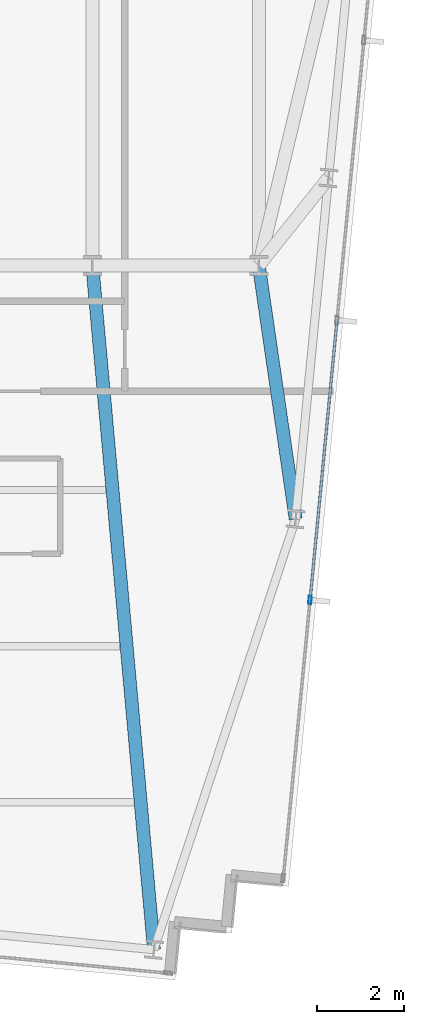
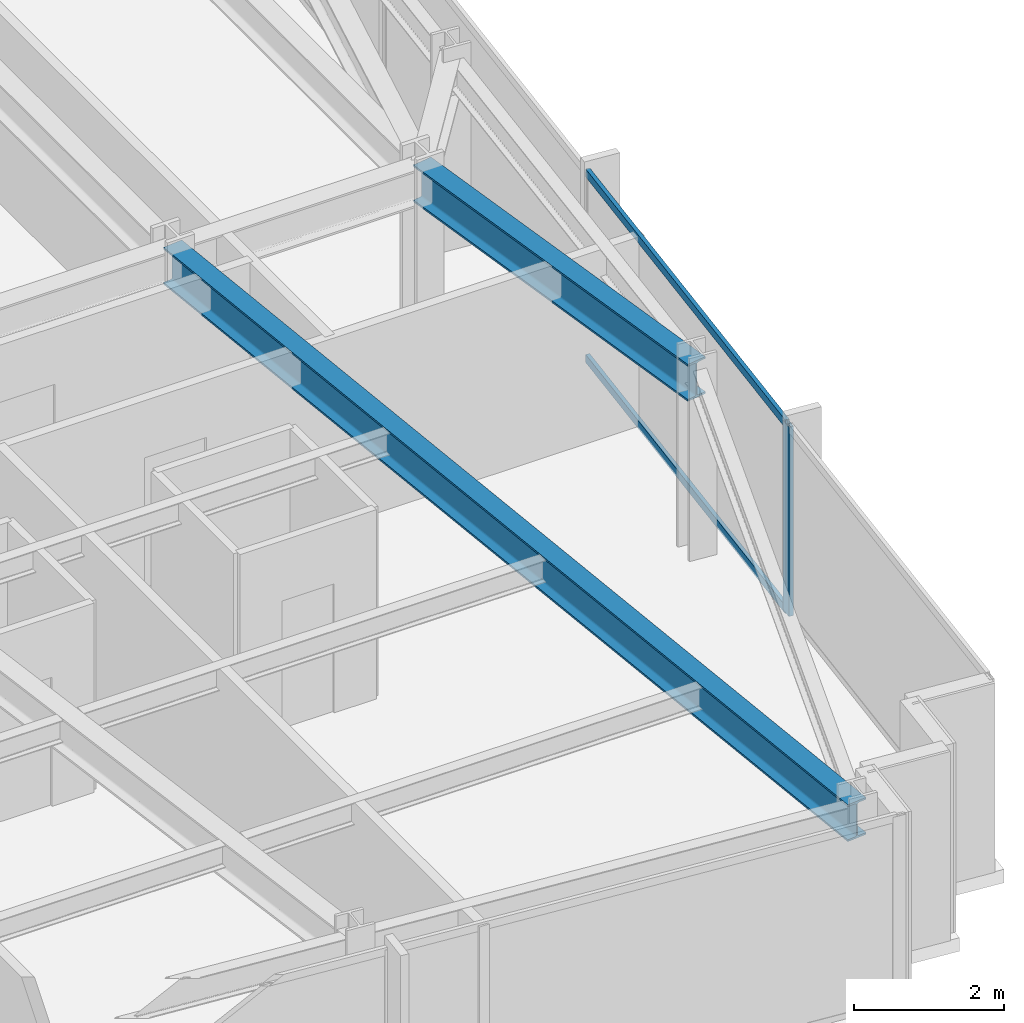
# One storey, part 15 of 37: 3 members, 2 beams, 1 element without a shape of its own.
"""IFC4 building model written with IfcOpenShell, lengths in metres."""

from ifc_helpers import new_model, si_unit, direction, frame, origin, origin_2d, place, context, subcontext, project, spatial, hollow_rectangle, i_section, extrude, material, material_profile, profile_set, type_object, element, aggregate, save


model = new_model("IFC4")

# Units and contexts
model_context = context("Model", 3, precision=1e-05, world=origin(), true_north=direction((0.0, 1.0)))
body_context = subcontext(model_context, "Body", "Model", "MODEL_VIEW")
ifc_project = project(units=[si_unit("LENGTHUNIT", "METRE"), si_unit("AREAUNIT", "SQUARE_METRE"), si_unit("VOLUMEUNIT", "CUBIC_METRE"), si_unit("PLANEANGLEUNIT", "RADIAN"), si_unit("MASSUNIT", "GRAM", prefix="KILO")], contexts=[model_context])

# Site, building, storey
site_placement = place(None, origin())
site = spatial("IfcSite", under=ifc_project, at=site_placement, CompositionType="ELEMENT")
building_placement = place(site_placement, origin())
building = spatial("IfcBuilding", under=site, at=building_placement, Name="Yelkora Congress Tower", CompositionType="ELEMENT")
storey_placement = place(building_placement, frame((0.0, 0.0, 168.800048828125)))
storey = spatial("IfcBuildingStorey", under=building, at=storey_placement, Name="L46", CompositionType="ELEMENT", Elevation=168.800048828125)

# Beams
ifc_material_1 = material(Name="Steel S355J2", Category="steel")
ifc_material_profile_1 = material_profile(ifc_material_1, i_section(OverallWidth=0.300048828125, OverallDepth=0.60009765625, WebThickness=0.015380859375, FlangeThickness=0.030029296875, FilletRadius=0.027099609375, at=origin_2d()), Name="HEB 600")
ifc_profile_set_1 = profile_set([ifc_material_profile_1], Name="Steel S355J2")
beam_type = type_object("IfcBeamType", Name="BM-GIRD-HEB600", PredefinedType="BEAM", material=ifc_profile_set_1)
beam_1_placement = place(storey_placement, frame((55.18212890625, 9.421142578125, 2.780029296875), z_axis=(-0.089764575953, 0.995963011815, 0.0), x_axis=(-0.995963011815, -0.089764575953, 0.0)))
element("IfcBeam", 1, at=beam_1_placement, inside=storey, type_object=beam_type, Name="L46 Primary Frame Girder S08", PredefinedType="BEAM", context=body_context, shape_type="SweptSolid", body=[
    extrude(i_section(OverallWidth=0.300048828125, OverallDepth=0.60009765625, WebThickness=0.015380859375, FlangeThickness=0.030029296875, FilletRadius=0.027099609375, at=origin_2d()), origin(), (0.0, 0.0, 1.0), 15.8427734375),
])
beam_2_placement = place(storey_placement, frame((58.44921875, 19.353759765625, 2.780029296875), z_axis=(-0.143735281382, 0.989616172506, 0.0), x_axis=(-0.989616172506, -0.143735281382, 0.0)))
element("IfcBeam", 2, at=beam_2_placement, inside=storey, type_object=beam_type, Name="L46 Primary Frame Girder E01", PredefinedType="BEAM", context=body_context, shape_type="SweptSolid", body=[
    extrude(i_section(OverallWidth=0.300048828125, OverallDepth=0.60009765625, WebThickness=0.015380859375, FlangeThickness=0.030029296875, FilletRadius=0.027099609375, at=origin_2d()), origin(), (0.0, 0.0, 1.0), 5.907470703125),
])

# Curtain wall, members
ifc_material_2 = material(Name="Anodised aluminium and insulated glass", Category="aluminium")
curtain_wall_type = type_object("IfcCurtainWallType", Name="CW-SYS-B3", PredefinedType="NOTDEFINED", material=ifc_material_2)
curtain_wall_placement = place(storey_placement, origin())
curtain_wall = element("IfcCurtainWall", 3, at=curtain_wall_placement, inside=storey, type_object=curtain_wall_type, Name="L46 Unitised Curtain Wall 15", PredefinedType="NOTDEFINED")
ifc_material_3 = material(Name="Anodised aluminium 6063-T6", Category="aluminium")
ifc_material_profile_2 = material_profile(ifc_material_3, hollow_rectangle(XDim=0.070068359375, YDim=0.18994140625, WallThickness=0.00390625, at=origin_2d()), Name="ALU 70x190x4")
ifc_profile_set_2 = profile_set([ifc_material_profile_2], Name="Anodised aluminium 6063-T6")
member_type_1 = type_object("IfcMemberType", Name="MEM-ML-B3", PredefinedType="MULLION", material=ifc_profile_set_2)
member_1_placement = place(storey_placement, frame((58.78173828125, 17.4873046875, 0.0), z_axis=(0.0, 0.0, 1.0), x_axis=(0.995396565076, -0.095841944023, 0.0)))
member_1 = element("IfcMember", 4, at=member_1_placement, type_object=member_type_1, Name="CW-B3 mullion 5", PredefinedType="MULLION", context=body_context, shape_type="SweptSolid", body=[
    extrude(hollow_rectangle(XDim=0.070068359375, YDim=0.18994140625, WallThickness=0.00390625, at=origin_2d()), origin(), (0.0, 0.0, 1.0), 3.079833984375),
])
ifc_material_profile_3 = material_profile(ifc_material_3, hollow_rectangle(XDim=0.06005859375, YDim=0.1298828125, WallThickness=0.00390625, at=origin_2d()), Name="ALU 60x130x4")
ifc_profile_set_3 = profile_set([ifc_material_profile_3], Name="Anodised aluminium 6063-T6")
member_type_2 = type_object("IfcMemberType", Name="MEM-TR-B3", PredefinedType="USERDEFINED", material=ifc_profile_set_3)
member_2_placement = place(storey_placement, frame((59.39990234375, 23.90673828125, 0.030029296875), z_axis=(-0.095843682057, -0.995396397728, 0.0), x_axis=(0.995396397728, -0.095843682057, 0.0)))
member_2 = element("IfcMember", 5, at=member_2_placement, type_object=member_type_2, Name="CW-B3 transom 4.1", ObjectType="TRANSOM", PredefinedType="USERDEFINED", context=body_context, shape_type="SweptSolid", body=[
    extrude(hollow_rectangle(XDim=0.06005859375, YDim=0.1298828125, WallThickness=0.00390625, at=origin_2d()), origin(), (0.0, 0.0, 1.0), 6.4140625),
])
member_3_placement = place(storey_placement, frame((59.39990234375, 23.90673828125, 3.050048828125), z_axis=(-0.095843682057, -0.995396397728, 0.0), x_axis=(0.995396397728, -0.095843682057, 0.0)))
member_3 = element("IfcMember", 6, at=member_3_placement, type_object=member_type_2, Name="CW-B3 transom 4.2", ObjectType="TRANSOM", PredefinedType="USERDEFINED", context=body_context, shape_type="SweptSolid", body=[
    extrude(hollow_rectangle(XDim=0.06005859375, YDim=0.1298828125, WallThickness=0.00390625, at=origin_2d()), origin(), (0.0, 0.0, 1.0), 6.4140625),
])
aggregate(curtain_wall, [member_1, member_2, member_3])

save(model, "model.ifc")
